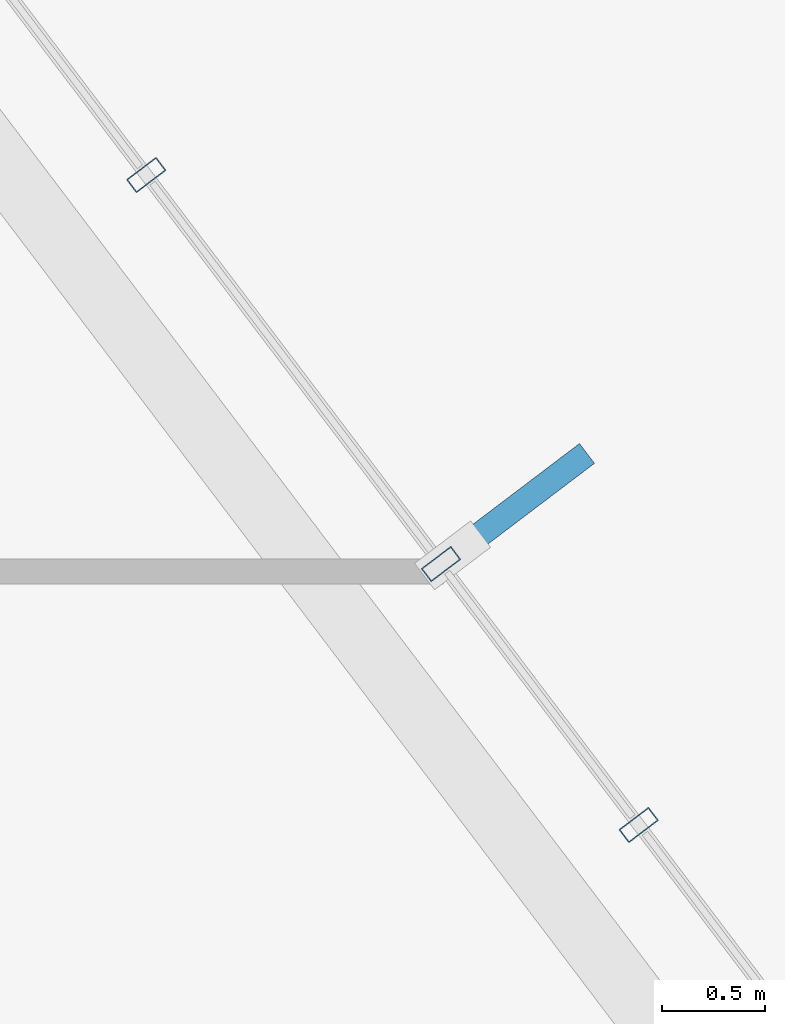
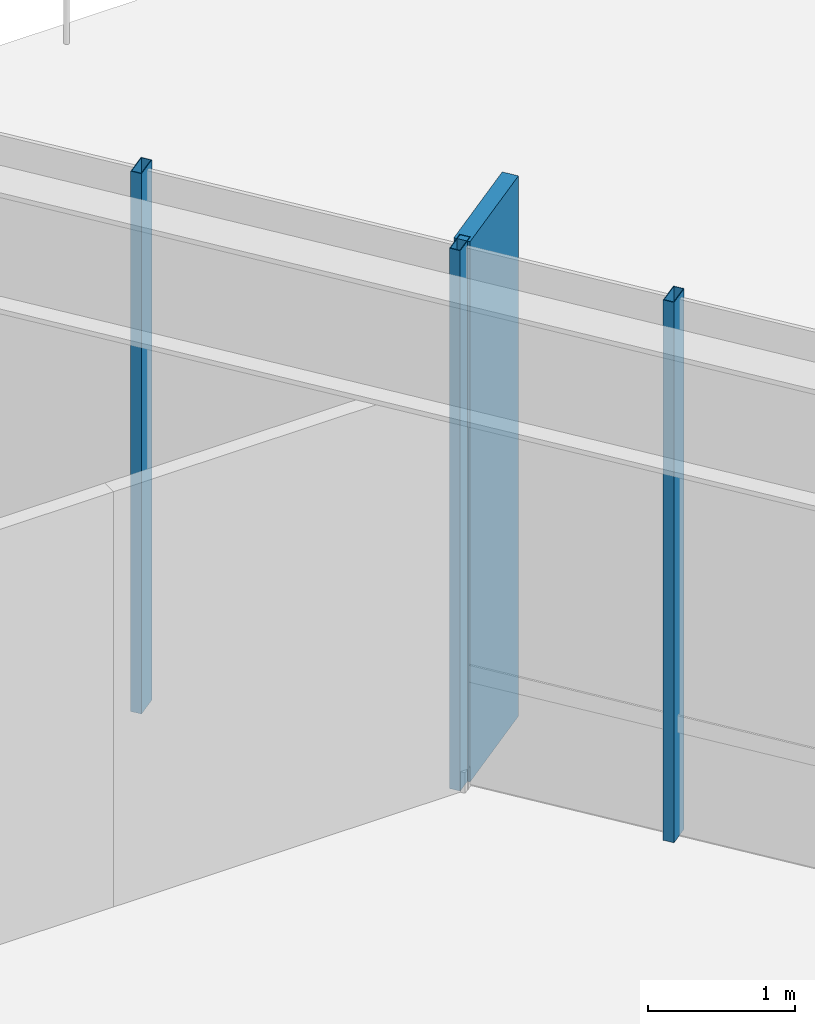
# One storey, part 19 of 30: 4 members, 1 element without a shape of its own.
"""IFC4 building model written with IfcOpenShell, lengths in metres."""

from ifc_helpers import new_model, si_unit, direction, frame, origin, origin_2d, place, context, subcontext, project, spatial, rectangle, hollow_rectangle, extrude, material, layer, layer_set, material_profile, profile_set, type_object, element, aggregate, save


model = new_model("IFC4")

# Units and contexts
model_context = context("Model", 3, precision=1e-05, world=origin(), true_north=direction((0.0, 1.0)))
body_context = subcontext(model_context, "Body", "Model", "MODEL_VIEW")
ifc_project = project(units=[si_unit("LENGTHUNIT", "METRE"), si_unit("AREAUNIT", "SQUARE_METRE"), si_unit("VOLUMEUNIT", "CUBIC_METRE"), si_unit("PLANEANGLEUNIT", "RADIAN"), si_unit("MASSUNIT", "GRAM", prefix="KILO")], contexts=[model_context])

# Site, building, storey
site_placement = place(None, origin())
site = spatial("IfcSite", under=ifc_project, at=site_placement, CompositionType="ELEMENT")
building_placement = place(site_placement, origin())
building = spatial("IfcBuilding", under=site, at=building_placement, Name="Zarrinselat Tower", CompositionType="ELEMENT")
storey_placement = place(building_placement, frame((0.0, 0.0, 22.780029296875)))
storey = spatial("IfcBuildingStorey", under=building, at=storey_placement, Name="L05", CompositionType="ELEMENT", Elevation=22.780029296875)

# Curtain wall, members
ifc_material_1 = material(Name="Extruded Aluminium Alloy EN AW-6063 T6", Category="aluminium")
ifc_layer = layer(ifc_material_1, 0.195068359375)
ifc_layer_set = layer_set([ifc_layer], Name="Extruded Aluminium Alloy EN AW-6063 T6")
curtain_wall_type = type_object("IfcCurtainWallType", Name="CWS-GDN", PredefinedType="NOTDEFINED", material=ifc_layer_set)
curtain_wall_placement = place(storey_placement, origin())
curtain_wall = element("IfcCurtainWall", 1, at=curtain_wall_placement, inside=storey, type_object=curtain_wall_type, Name="L05 Unitised Curtain Wall CW-L05-E06", PredefinedType="NOTDEFINED")
ifc_material_2 = material(Name="Extruded Aluminium Alloy EN AW-6063 T6", Category="aluminium")
ifc_material_profile_1 = material_profile(ifc_material_2, hollow_rectangle(XDim=0.080078125, YDim=0.179931640625, WallThickness=0.0048828125, at=origin_2d()), Name="RHS 180x80x5")
ifc_profile_set_1 = profile_set([ifc_material_profile_1], Name="Extruded Aluminium Alloy EN AW-6063 T6")
member_type_1 = type_object("IfcMemberType", Name="MEM-CW-MUL", PredefinedType="MULLION", material=ifc_profile_set_1)
member_1_placement = place(storey_placement, frame((56.739990234375, 40.775146484375, 0.0), z_axis=(0.0, 0.0, 1.0), x_axis=(-0.603857687995, 0.797092148154, 0.0)))
member_1 = element("IfcMember", 2, at=member_1_placement, type_object=member_type_1, Name="CW-L05-E06 Mullion 2", PredefinedType="MULLION", context=body_context, shape_type="SweptSolid", body=[
    extrude(hollow_rectangle(XDim=0.080078125, YDim=0.179931640625, WallThickness=0.0048828125, at=origin_2d()), origin(), (0.0, 0.0, 1.0), 4.5),
])
member_2_placement = place(storey_placement, frame((55.78466796875, 42.036376953125, 0.0), z_axis=(0.0, 0.0, 1.0), x_axis=(-0.603857687995, 0.797092148154, 0.0)))
member_2 = element("IfcMember", 3, at=member_2_placement, type_object=member_type_1, Name="CW-L05-E06 Mullion 3", PredefinedType="MULLION", context=body_context, shape_type="SweptSolid", body=[
    extrude(hollow_rectangle(XDim=0.080078125, YDim=0.179931640625, WallThickness=0.0048828125, at=origin_2d()), origin(), (0.0, 0.0, 1.0), 4.5),
])
member_3_placement = place(storey_placement, frame((54.360107421875, 43.916748046875, 0.0), z_axis=(0.0, 0.0, 1.0), x_axis=(-0.603857687995, 0.797092148154, 0.0)))
member_3 = element("IfcMember", 4, at=member_3_placement, type_object=member_type_1, Name="CW-L05-E06 Mullion 4", PredefinedType="MULLION", context=body_context, shape_type="SweptSolid", body=[
    extrude(hollow_rectangle(XDim=0.080078125, YDim=0.179931640625, WallThickness=0.0048828125, at=origin_2d()), origin(), (0.0, 0.0, 1.0), 4.5),
])
ifc_material_3 = material(Name="Honed Cream Travertine Stone", Category="masonry")
ifc_material_profile_2 = material_profile(ifc_material_3, rectangle(XDim=0.1201171875, YDim=0.85009765625, at=origin_2d()), Name="FIN 850x120")
ifc_profile_set_2 = profile_set([ifc_material_profile_2], Name="Honed Cream Travertine Stone")
member_type_2 = type_object("IfcMemberType", Name="MEM-STONE-FIN", PredefinedType="USERDEFINED", material=ifc_profile_set_2)
member_4_placement = place(storey_placement, frame((56.1513671875, 42.314208984375, 0.0), z_axis=(0.0, 0.0, 1.0), x_axis=(0.603857687995, -0.797092148154, 0.0)))
member_4 = element("IfcMember", 5, at=member_4_placement, type_object=member_type_2, Name="L05 Stone Shading Fin CW-L05-E06-03", ObjectType="FIN", PredefinedType="USERDEFINED", context=body_context, shape_type="SweptSolid", body=[
    extrude(rectangle(XDim=0.1201171875, YDim=0.85009765625, at=origin_2d()), origin(), (0.0, 0.0, 1.0), 4.5),
])
aggregate(curtain_wall, [member_1, member_2, member_4, member_3])

save(model, "model.ifc")
